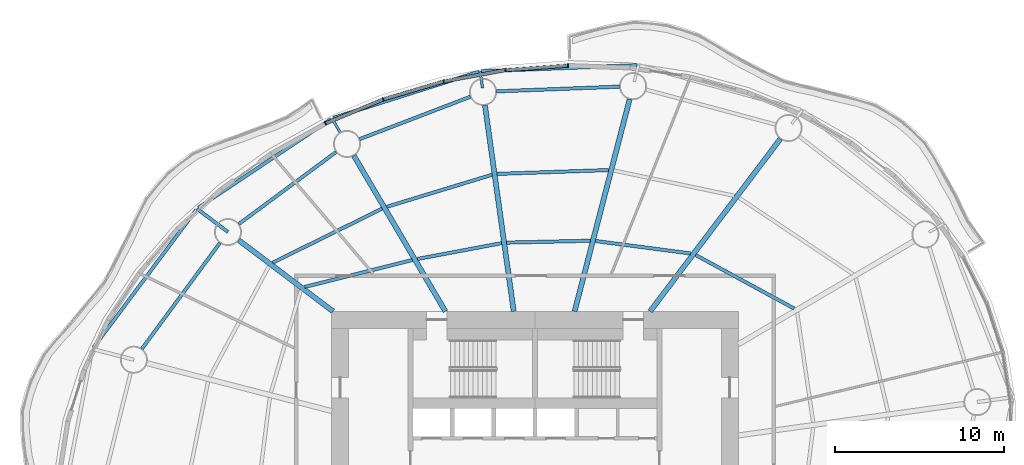
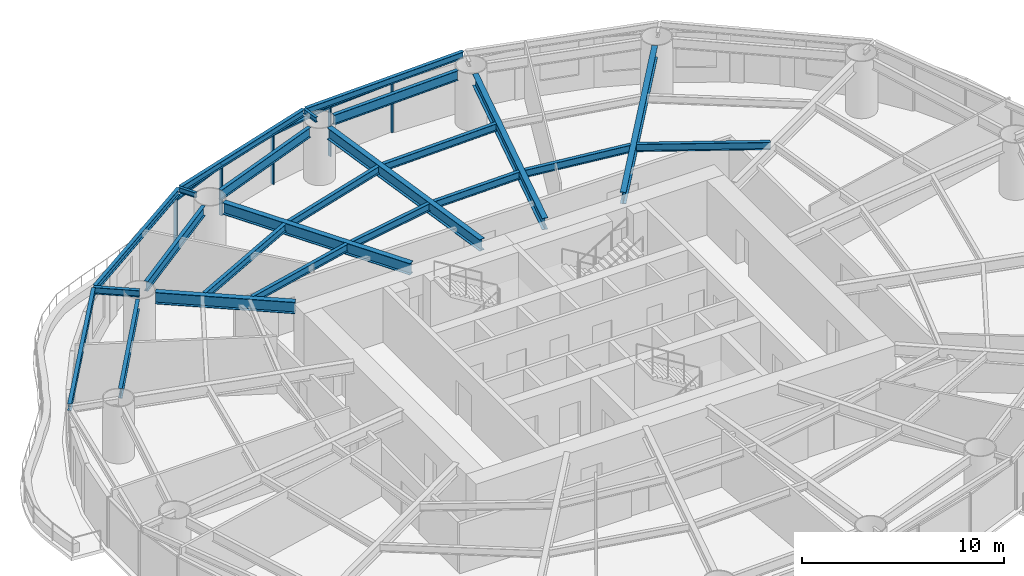
# One storey, part 5 of 16: 24 beams, 9 members, 4 elements without a shape of their own.
"""IFC4 building model written with IfcOpenShell, lengths in metres."""

from ifc_helpers import new_model, si_unit, direction, frame, origin, origin_2d, place, context, subcontext, project, spatial, rectangle, i_section, extrude, material, material_profile, profile_set, type_object, element, aggregate, save


model = new_model("IFC4")

# Units and contexts
model_context = context("Model", 3, precision=1e-05, world=origin(), true_north=direction((0.0, 1.0)))
body_context = subcontext(model_context, "Body", "Model", "MODEL_VIEW")
ifc_project = project(units=[si_unit("LENGTHUNIT", "METRE"), si_unit("AREAUNIT", "SQUARE_METRE"), si_unit("VOLUMEUNIT", "CUBIC_METRE"), si_unit("PLANEANGLEUNIT", "RADIAN"), si_unit("MASSUNIT", "GRAM", prefix="KILO")], contexts=[model_context])

# Site, building, storey
site_placement = place(None, origin())
site = spatial("IfcSite", under=ifc_project, at=site_placement, CompositionType="ELEMENT")
building_placement = place(site_placement, origin())
building = spatial("IfcBuilding", under=site, at=building_placement, Name="Vermilion Reach Broadcast Tower", CompositionType="ELEMENT")
storey_placement = place(building_placement, frame((0.0, 0.0, 88.60009765625)))
storey = spatial("IfcBuildingStorey", under=building, at=storey_placement, Name="L19", CompositionType="ELEMENT", Elevation=88.60009765625)

# Beams
ifc_material_1 = material(Name="Steel S355J2", Category="steel")
ifc_material_profile_1 = material_profile(ifc_material_1, i_section(OverallWidth=0.199951171875, OverallDepth=0.39990234375, WebThickness=0.008056640625, FlangeThickness=0.012939453125, at=origin_2d()), Name="S355J2 HN 400x200x8x13")
ifc_profile_set_1 = profile_set([ifc_material_profile_1], Name="Steel S355J2")
beam_type_1 = type_object("IfcBeamType", Name="EB2 HN 400x200x8x13", PredefinedType="BEAM", material=ifc_profile_set_1)
beam_1_placement = place(storey_placement, frame((0.029052734375, 23.527099609375, 3.25), z_axis=(-0.999265989975, -0.038307718274, 0.0), x_axis=(0.038307718274, -0.999265989975, 0.0)))
element("IfcBeam", 1, at=beam_1_placement, inside=storey, type_object=beam_type_1, Name="Edge beam EB2-03", PredefinedType="BEAM", context=body_context, shape_type="SweptSolid", body=[
    extrude(i_section(OverallWidth=0.199951171875, OverallDepth=0.39990234375, WebThickness=0.008056640625, FlangeThickness=0.012939453125, at=origin_2d()), origin(), (0.0, 0.0, 1.0), 9.196533203125),
])
beam_2_placement = place(storey_placement, frame((-9.30859375, 23.14892578125, 3.25), z_axis=(-0.953045019585, -0.302828648983, 0.0), x_axis=(0.302828648983, -0.953045019585, 0.0)))
element("IfcBeam", 2, at=beam_2_placement, inside=storey, type_object=beam_type_1, Name="Edge beam EB2-04", PredefinedType="BEAM", context=body_context, shape_type="SweptSolid", body=[
    extrude(i_section(OverallWidth=0.199951171875, OverallDepth=0.39990234375, WebThickness=0.008056640625, FlangeThickness=0.012939453125, at=origin_2d()), origin(), (0.0, 0.0, 1.0), 9.029541015625),
])
beam_3_placement = place(storey_placement, frame((-18.0498046875, 20.349365234375, 3.25), z_axis=(-0.830921863543, -0.556389123443, 0.0), x_axis=(0.556389123443, -0.830921863543, 0.0)))
element("IfcBeam", 3, at=beam_3_placement, inside=storey, type_object=beam_type_1, Name="Edge beam EB2-05", PredefinedType="BEAM", context=body_context, shape_type="SweptSolid", body=[
    extrude(i_section(OverallWidth=0.199951171875, OverallDepth=0.39990234375, WebThickness=0.008056640625, FlangeThickness=0.012939453125, at=origin_2d()), origin(), (0.0, 0.0, 1.0), 9.400634765625),
])
beam_4_placement = place(storey_placement, frame((-26.0087890625, 14.979736328125, 3.25), z_axis=(-0.598064758177, -0.801447780599, 0.0), x_axis=(0.801447780599, -0.598064758177, 0.0)))
element("IfcBeam", 4, at=beam_4_placement, inside=storey, type_object=beam_type_1, Name="Edge beam EB2-06", PredefinedType="BEAM", context=body_context, shape_type="SweptSolid", body=[
    extrude(i_section(OverallWidth=0.199951171875, OverallDepth=0.39990234375, WebThickness=0.008056640625, FlangeThickness=0.012939453125, at=origin_2d()), origin(), (0.0, 0.0, 1.0), 10.121826171875),
])
ifc_material_2 = material(Name="Steel S355J2", Category="steel")
ifc_material_profile_2 = material_profile(ifc_material_2, i_section(OverallWidth=0.300048828125, OverallDepth=0.699951171875, WebThickness=0.012939453125, FlangeThickness=0.02392578125, at=origin_2d()), Name="S355J2 HN 700x300x13x24")
ifc_profile_set_2 = profile_set([ifc_material_profile_2], Name="Steel S355J2")
beam_type_2 = type_object("IfcBeamType", Name="G2 HN 700x300x13x24", PredefinedType="BEAM", material=ifc_profile_set_2)
beam_5_placement = place(storey_placement, frame((0.794189453125, 9.0, 3.099853515625), z_axis=(0.602519842365, 0.798103902733, 0.0), x_axis=(-0.798103902733, 0.602519842365, 0.0)))
element("IfcBeam", 5, at=beam_5_placement, inside=storey, type_object=beam_type_2, Name="Girder G2-02", PredefinedType="BEAM", context=body_context, shape_type="SweptSolid", body=[
    extrude(i_section(OverallWidth=0.300048828125, OverallDepth=0.699951171875, WebThickness=0.012939453125, FlangeThickness=0.02392578125, at=origin_2d()), origin(), (0.0, 0.0, 1.0), 12.758544921875),
])
beam_6_placement = place(storey_placement, frame((-3.6640625, 9.0, 3.099853515625), z_axis=(0.25121695316, 0.967930804575, 0.0), x_axis=(-0.967930804575, 0.25121695316, 0.0)))
element("IfcBeam", 6, at=beam_6_placement, inside=storey, type_object=beam_type_2, Name="Girder G2-03", PredefinedType="BEAM", context=body_context, shape_type="SweptSolid", body=[
    extrude(i_section(OverallWidth=0.300048828125, OverallDepth=0.699951171875, WebThickness=0.012939453125, FlangeThickness=0.02392578125, at=origin_2d()), origin(), (0.0, 0.0, 1.0), 12.93505859375),
])
beam_7_placement = place(storey_placement, frame((-7.2568359375, 9.0, 3.099853515625), z_axis=(-0.138317561234, 0.990387930184, 0.0), x_axis=(-0.990387930184, -0.138317561234, 0.0)))
element("IfcBeam", 7, at=beam_7_placement, inside=storey, type_object=beam_type_2, Name="Girder G2-04", PredefinedType="BEAM", context=body_context, shape_type="SweptSolid", body=[
    extrude(i_section(OverallWidth=0.300048828125, OverallDepth=0.699951171875, WebThickness=0.012939453125, FlangeThickness=0.02392578125, at=origin_2d()), origin(), (0.0, 0.0, 1.0), 12.281494140625),
])
beam_8_placement = place(storey_placement, frame((-11.290771484375, 9.0, 3.099853515625), z_axis=(-0.506783943634, 0.862073102744, 0.0), x_axis=(-0.862073102744, -0.506783943634, 0.0)))
element("IfcBeam", 8, at=beam_8_placement, inside=storey, type_object=beam_type_2, Name="Girder G2-05", PredefinedType="BEAM", context=body_context, shape_type="SweptSolid", body=[
    extrude(i_section(OverallWidth=0.300048828125, OverallDepth=0.699951171875, WebThickness=0.012939453125, FlangeThickness=0.02392578125, at=origin_2d()), origin(), (0.0, 0.0, 1.0), 10.661865234375),
])
beam_9_placement = place(storey_placement, frame((-17.921630859375, 9.0, 3.099853515625), z_axis=(-0.798113534072, 0.602507084382, 0.0), x_axis=(-0.602507084382, -0.798113534072, 0.0)))
element("IfcBeam", 9, at=beam_9_placement, inside=storey, type_object=beam_type_2, Name="Girder G2-06", PredefinedType="BEAM", context=body_context, shape_type="SweptSolid", body=[
    extrude(i_section(OverallWidth=0.300048828125, OverallDepth=0.699951171875, WebThickness=0.012939453125, FlangeThickness=0.02392578125, at=origin_2d()), origin(), (0.0, 0.0, 1.0), 6.971923828125),
])
ifc_material_3 = material(Name="Steel S355J2", Category="steel")
ifc_material_profile_3 = material_profile(ifc_material_3, i_section(OverallWidth=0.199951171875, OverallDepth=0.39990234375, WebThickness=0.008056640625, FlangeThickness=0.012939453125, at=origin_2d()), Name="S355J2 HN 400x200x8x13")
ifc_profile_set_3 = profile_set([ifc_material_profile_3], Name="Steel S355J2")
beam_type_3 = type_object("IfcBeamType", Name="GC2 HN 400x200x8x13", PredefinedType="BEAM", material=ifc_profile_set_3)
beam_10_placement = place(storey_placement, frame((-24.12451171875, 13.6826171875, 3.25), z_axis=(-0.798137792915, 0.602474948459, 0.0), x_axis=(-0.602474948459, -0.798137792915, 0.0)))
element("IfcBeam", 10, at=beam_10_placement, inside=storey, type_object=beam_type_3, Name="Cantilever girder GC2-06", PredefinedType="BEAM", context=body_context, shape_type="SweptSolid", body=[
    extrude(i_section(OverallWidth=0.199951171875, OverallDepth=0.39990234375, WebThickness=0.008056640625, FlangeThickness=0.012939453125, at=origin_2d()), origin(), (0.0, 0.0, 1.0), 2.285888671875),
])
ifc_material_4 = material(Name="Steel S355J2", Category="steel")
ifc_material_profile_4 = material_profile(ifc_material_4, i_section(OverallWidth=0.14990234375, OverallDepth=0.300048828125, WebThickness=0.006591796875, FlangeThickness=0.009033203125, at=origin_2d()), Name="S355J2 HN 300x150x6.5x9")
ifc_profile_set_4 = profile_set([ifc_material_profile_4], Name="Steel S355J2")
beam_type_4 = type_object("IfcBeamType", Name="GS2 HN 300x150x6.5x9", PredefinedType="BEAM", material=ifc_profile_set_4)
for number, where, z_axis, x_axis, name in (
    (11, (-9.09765625, 22.181640625, 3.2998046875), (-0.138413206764, 0.990374567622, 0.0), (-0.990374567622, -0.138413206764, 0.0), "Cantilever stub GS2-04"),
    (12, (-17.480712890625, 19.529052734375, 3.2998046875), (-0.506539974726, 0.862216477461, 0.0), (-0.862216477461, -0.506539974726, 0.0), "Cantilever stub GS2-05"),
):
    element("IfcBeam", number, at=place(storey_placement, frame(where, z_axis=z_axis, x_axis=x_axis)), inside=storey, type_object=beam_type_4, Name=name, PredefinedType="BEAM", context=body_context, shape_type="SweptSolid", body=[
        extrude(i_section(OverallWidth=0.14990234375, OverallDepth=0.300048828125, WebThickness=0.006591796875, FlangeThickness=0.009033203125, at=origin_2d()), origin(), (0.0, 0.0, 1.0), 1.0),
    ])
ifc_material_5 = material(Name="Steel S355J2", Category="steel")
ifc_material_profile_5 = material_profile(ifc_material_5, i_section(OverallWidth=0.199951171875, OverallDepth=0.60009765625, WebThickness=0.010986328125, FlangeThickness=0.01708984375, at=origin_2d()), Name="S355J2 HN 600x200x11x17")
ifc_profile_set_5 = profile_set([ifc_material_profile_5], Name="Steel S355J2")
beam_type_5 = type_object("IfcBeamType", Name="RB2 HN 600x200x11x17", PredefinedType="BEAM", material=ifc_profile_set_5)
beam_11_placement = place(storey_placement, frame((-1.012939453125, 22.263916015625, 3.14990234375), z_axis=(-0.999268558327, -0.038240663418, 0.0), x_axis=(0.038240663418, -0.999268558327, 0.0)))
element("IfcBeam", 13, at=beam_11_placement, inside=storey, type_object=beam_type_5, Name="Ring beam RB2-03", PredefinedType="BEAM", context=body_context, shape_type="SweptSolid", body=[
    extrude(i_section(OverallWidth=0.199951171875, OverallDepth=0.60009765625, WebThickness=0.010986328125, FlangeThickness=0.01708984375, at=origin_2d()), origin(), (0.0, 0.0, 1.0), 7.259033203125),
])
beam_12_placement = place(storey_placement, frame((-9.813232421875, 21.669677734375, 3.14990234375), z_axis=(-0.933939237212, -0.357431813353, 0.0), x_axis=(0.357431813353, -0.933939237212, 0.0)))
element("IfcBeam", 14, at=beam_12_placement, inside=storey, type_object=beam_type_5, Name="Ring beam RB2-04", PredefinedType="BEAM", context=body_context, shape_type="SweptSolid", body=[
    extrude(i_section(OverallWidth=0.199951171875, OverallDepth=0.60009765625, WebThickness=0.010986328125, FlangeThickness=0.01708984375, at=origin_2d()), origin(), (0.0, 0.0, 1.0), 7.001953125),
])
beam_13_placement = place(storey_placement, frame((-17.74267578125, 18.4052734375, 3.14990234375), z_axis=(-0.803832742218, -0.594855379515, 0.0), x_axis=(0.594855379515, -0.803832742218, 0.0)))
element("IfcBeam", 15, at=beam_13_placement, inside=storey, type_object=beam_type_5, Name="Ring beam RB2-05", PredefinedType="BEAM", context=body_context, shape_type="SweptSolid", body=[
    extrude(i_section(OverallWidth=0.199951171875, OverallDepth=0.60009765625, WebThickness=0.010986328125, FlangeThickness=0.01708984375, at=origin_2d()), origin(), (0.0, 0.0, 1.0), 7.13916015625),
])
beam_14_placement = place(storey_placement, frame((-24.59912109375, 13.03857421875, 3.14990234375), z_axis=(-0.593250534798, -0.80501788984, 0.0), x_axis=(0.80501788984, -0.593250534798, 0.0)))
element("IfcBeam", 16, at=beam_14_placement, inside=storey, type_object=beam_type_5, Name="Ring beam RB2-06", PredefinedType="BEAM", context=body_context, shape_type="SweptSolid", body=[
    extrude(i_section(OverallWidth=0.199951171875, OverallDepth=0.60009765625, WebThickness=0.010986328125, FlangeThickness=0.01708984375, at=origin_2d()), origin(), (0.0, 0.0, 1.0), 7.76220703125),
])
ifc_material_6 = material(Name="Steel S355J2", Category="steel")
ifc_material_profile_6 = material_profile(ifc_material_6, i_section(OverallWidth=0.199951171875, OverallDepth=0.449951171875, WebThickness=0.009033203125, FlangeThickness=0.013916015625, at=origin_2d()), Name="S355J2 HN 450x200x9x14")
ifc_profile_set_6 = profile_set([ifc_material_profile_6], Name="Steel S355J2")
beam_type_6 = type_object("IfcBeamType", Name="SB2 HN 450x200x9x14", PredefinedType="BEAM", material=ifc_profile_set_6)
beam_15_placement = place(storey_placement, frame((9.29736328125, 9.1669921875, 3.224853515625), z_axis=(-0.878713106774, 0.477350265512, 0.0), x_axis=(-0.477350265512, -0.878713106774, 0.0)))
element("IfcBeam", 17, at=beam_15_placement, inside=storey, type_object=beam_type_6, Name="Secondary beam SB2-01-1", PredefinedType="BEAM", context=body_context, shape_type="SweptSolid", body=[
    extrude(i_section(OverallWidth=0.199951171875, OverallDepth=0.449951171875, WebThickness=0.009033203125, FlangeThickness=0.013916015625, at=origin_2d()), origin(), (0.0, 0.0, 1.0), 6.60888671875),
])
beam_16_placement = place(storey_placement, frame((3.185546875, 12.416748046875, 3.224853515625), z_axis=(-0.991498686864, 0.130116693573, 0.0), x_axis=(-0.130116693573, -0.991498686864, 0.0)))
element("IfcBeam", 18, at=beam_16_placement, inside=storey, type_object=beam_type_6, Name="Secondary beam SB2-02-1", PredefinedType="BEAM", context=body_context, shape_type="SweptSolid", body=[
    extrude(i_section(OverallWidth=0.199951171875, OverallDepth=0.449951171875, WebThickness=0.009033203125, FlangeThickness=0.013916015625, at=origin_2d()), origin(), (0.0, 0.0, 1.0), 5.66455078125),
])
beam_17_placement = place(storey_placement, frame((-2.73681640625, 13.169921875, 3.224853515625), z_axis=(-0.999742320425, -0.022700060602, 0.0), x_axis=(0.022700060602, -0.999742320425, 0.0)))
element("IfcBeam", 19, at=beam_17_placement, inside=storey, type_object=beam_type_6, Name="Secondary beam SB2-03-1", PredefinedType="BEAM", context=body_context, shape_type="SweptSolid", body=[
    extrude(i_section(OverallWidth=0.199951171875, OverallDepth=0.449951171875, WebThickness=0.009033203125, FlangeThickness=0.013916015625, at=origin_2d()), origin(), (0.0, 0.0, 1.0), 4.9365234375),
])
beam_18_placement = place(storey_placement, frame((-1.654052734375, 17.34130859375, 3.224853515625), z_axis=(-0.999404722387, -0.03449928797, 0.0), x_axis=(0.03449928797, -0.999404722387, 0.0)))
element("IfcBeam", 20, at=beam_18_placement, inside=storey, type_object=beam_type_6, Name="Secondary beam SB2-03-2", PredefinedType="BEAM", context=body_context, shape_type="SweptSolid", body=[
    extrude(i_section(OverallWidth=0.199951171875, OverallDepth=0.449951171875, WebThickness=0.009033203125, FlangeThickness=0.013916015625, at=origin_2d()), origin(), (0.0, 0.0, 1.0), 6.58837890625),
])
beam_19_placement = place(storey_placement, frame((-7.970703125, 13.026611328125, 3.224853515625), z_axis=(-0.982782890015, -0.184764149915, 0.0), x_axis=(0.184764149915, -0.982782890015, 0.0)))
element("IfcBeam", 21, at=beam_19_placement, inside=storey, type_object=beam_type_6, Name="Secondary beam SB2-04-1", PredefinedType="BEAM", context=body_context, shape_type="SweptSolid", body=[
    extrude(i_section(OverallWidth=0.199951171875, OverallDepth=0.449951171875, WebThickness=0.009033203125, FlangeThickness=0.013916015625, at=origin_2d()), origin(), (0.0, 0.0, 1.0), 5.051513671875),
])
beam_20_placement = place(storey_placement, frame((-8.53466796875, 17.064697265625, 3.224853515625), z_axis=(-0.956596430605, -0.291415972374, 0.0), x_axis=(0.291415972374, -0.956596430605, 0.0)))
element("IfcBeam", 22, at=beam_20_placement, inside=storey, type_object=beam_type_6, Name="Secondary beam SB2-04-2", PredefinedType="BEAM", context=body_context, shape_type="SweptSolid", body=[
    extrude(i_section(OverallWidth=0.199951171875, OverallDepth=0.449951171875, WebThickness=0.009033203125, FlangeThickness=0.013916015625, at=origin_2d()), origin(), (0.0, 0.0, 1.0), 6.49267578125),
])
beam_21_placement = place(storey_placement, frame((-13.24365234375, 12.026123046875, 3.224853515625), z_axis=(-0.970396717612, -0.241516480695, 0.0), x_axis=(0.241516480695, -0.970396717612, 0.0)))
element("IfcBeam", 23, at=beam_21_placement, inside=storey, type_object=beam_type_6, Name="Secondary beam SB2-05-1", PredefinedType="BEAM", context=body_context, shape_type="SweptSolid", body=[
    extrude(i_section(OverallWidth=0.199951171875, OverallDepth=0.449951171875, WebThickness=0.009033203125, FlangeThickness=0.013916015625, at=origin_2d()), origin(), (0.0, 0.0, 1.0), 6.539306640625),
])
beam_22_placement = place(storey_placement, frame((-15.02783203125, 15.06103515625, 3.224853515625), z_axis=(-0.896648255868, -0.442743611189, 0.0), x_axis=(0.442743611189, -0.896648255868, 0.0)))
element("IfcBeam", 24, at=beam_22_placement, inside=storey, type_object=beam_type_6, Name="Secondary beam SB2-05-2", PredefinedType="BEAM", context=body_context, shape_type="SweptSolid", body=[
    extrude(i_section(OverallWidth=0.199951171875, OverallDepth=0.449951171875, WebThickness=0.009033203125, FlangeThickness=0.013916015625, at=origin_2d()), origin(), (0.0, 0.0, 1.0), 7.19677734375),
])

# Curtain wall, member
ifc_material_7 = material(Name="Low-e laminated clear glass in aluminium frame", Category="aluminium")
curtain_wall_type = type_object("IfcCurtainWallType", Name="Slot curtain wall", PredefinedType="NOTDEFINED", material=ifc_material_7)
placement = place(storey_placement, origin())
curtain_wall_1 = element("IfcCurtainWall", 25, at=placement, inside=storey, type_object=curtain_wall_type, Name="Slot curtain wall L19 10", PredefinedType="NOTDEFINED")
ifc_material_8 = material(Name="Anodised aluminium", Category="aluminium")
ifc_material_profile_7 = material_profile(ifc_material_8, rectangle(XDim=0.199951171875, YDim=0.080078125, at=origin_2d()), Name="Slot mullion 80 x 200")
ifc_profile_set_7 = profile_set([ifc_material_profile_7], Name="Anodised aluminium")
member_type_1 = type_object("IfcMemberType", Name="Slot mullion 80 x 200", PredefinedType="MULLION", material=ifc_profile_set_7)
member_1_placement = place(storey_placement, frame((-4.051025390625, 23.506591796875, 0.0), z_axis=(0.0, 0.0, 1.0), x_axis=(0.01813302102, -0.999835583258, 0.0)))
member_1 = element("IfcMember", 26, at=member_1_placement, type_object=member_type_1, Name="Slot mullion L19 10", PredefinedType="MULLION", context=body_context, shape_type="SweptSolid", body=[
    extrude(rectangle(XDim=0.199951171875, YDim=0.080078125, at=origin_2d()), origin(), (0.0, 0.0, 1.0), 3.0498046875),
])

curtain_wall_2 = element("IfcCurtainWall", 27, at=placement, inside=storey, type_object=curtain_wall_type, Name="Slot curtain wall L19 11", PredefinedType="NOTDEFINED")
member_2_placement = place(storey_placement, frame((-7.73681640625, 23.237060546875, 0.0), z_axis=(0.0, 0.0, 1.0), x_axis=(0.126615571152, -0.991951862311, 0.0)))
member_2 = element("IfcMember", 28, at=member_2_placement, type_object=member_type_1, Name="Slot mullion L19 11", PredefinedType="MULLION", context=body_context, shape_type="SweptSolid", body=[
    extrude(rectangle(XDim=0.199951171875, YDim=0.080078125, at=origin_2d()), origin(), (0.0, 0.0, 1.0), 3.0498046875),
])

curtain_wall_3 = element("IfcCurtainWall", 29, at=placement, inside=storey, type_object=curtain_wall_type, Name="Slot curtain wall L19 12", PredefinedType="NOTDEFINED")
member_3_placement = place(storey_placement, frame((-11.39306640625, 22.568359375, 0.0), z_axis=(0.0, 0.0, 1.0), x_axis=(0.232426875034, -0.97261387393, 0.0)))
member_3 = element("IfcMember", 30, at=member_3_placement, type_object=member_type_1, Name="Slot mullion L19 12", PredefinedType="MULLION", context=body_context, shape_type="SweptSolid", body=[
    extrude(rectangle(XDim=0.199951171875, YDim=0.080078125, at=origin_2d()), origin(), (0.0, 0.0, 1.0), 3.0498046875),
])

# Curtain wall, members
curtain_wall_4 = element("IfcCurtainWall", 31, at=placement, inside=storey, type_object=curtain_wall_type, Name="Slot curtain wall L19 13", PredefinedType="NOTDEFINED")
member_4_placement = place(storey_placement, frame((-14.956787109375, 21.51171875, 0.0), z_axis=(0.0, 0.0, 1.0), x_axis=(0.335549092517, -0.942022720804, 0.0)))
member_4 = element("IfcMember", 32, at=member_4_placement, type_object=member_type_1, Name="Slot mullion L19 13", PredefinedType="MULLION", context=body_context, shape_type="SweptSolid", body=[
    extrude(rectangle(XDim=0.199951171875, YDim=0.080078125, at=origin_2d()), origin(), (0.0, 0.0, 1.0), 3.0498046875),
])
member_5_placement = place(storey_placement, frame((-18.366455078125, 20.085693359375, 0.0), z_axis=(0.0, 0.0, 1.0), x_axis=(0.435875311744, -0.900007062535, 0.0)))
member_5 = element("IfcMember", 33, at=member_5_placement, type_object=member_type_1, Name="Slot mullion L19 14", PredefinedType="MULLION", context=body_context, shape_type="SweptSolid", body=[
    extrude(rectangle(XDim=0.199951171875, YDim=0.080078125, at=origin_2d()), origin(), (0.0, 0.0, 1.0), 3.0498046875),
])

# Member
ifc_material_9 = material(Name="Anodised aluminium", Category="aluminium")
ifc_material_profile_8 = material_profile(ifc_material_9, rectangle(XDim=0.199951171875, YDim=0.10009765625, at=origin_2d()), Name="Slot transom 200 x 100")
ifc_profile_set_8 = profile_set([ifc_material_profile_8], Name="Anodised aluminium")
member_type_2 = type_object("IfcMemberType", Name="Slot transom 200 x 100", PredefinedType="USERDEFINED", material=ifc_profile_set_8)
member_6_placement = place(storey_placement, frame((-4.0908203125, 23.503662109375, 3.0), z_axis=(-0.997337677439, -0.072921582265, 0.0), x_axis=(0.072921582265, -0.997337677439, 0.0)))
member_6 = element("IfcMember", 34, at=member_6_placement, type_object=member_type_2, Name="Slot transom L19 10.1", ObjectType="TRANSOM", PredefinedType="USERDEFINED", context=body_context, shape_type="SweptSolid", body=[
    extrude(rectangle(XDim=0.199951171875, YDim=0.10009765625, at=origin_2d()), origin(), (0.0, 0.0, 1.0), 3.61572265625),
])

aggregate(curtain_wall_1, [member_1, member_6])

member_7_placement = place(storey_placement, frame((-7.776123046875, 23.22998046875, 3.0), z_axis=(-0.983672769634, -0.179966336522, 0.0), x_axis=(0.179966336522, -0.983672769634, 0.0)))
member_7 = element("IfcMember", 35, at=member_7_placement, type_object=member_type_2, Name="Slot transom L19 11.1", ObjectType="TRANSOM", PredefinedType="USERDEFINED", context=body_context, shape_type="SweptSolid", body=[
    extrude(rectangle(XDim=0.199951171875, YDim=0.10009765625, at=origin_2d()), origin(), (0.0, 0.0, 1.0), 3.636962890625),
])

aggregate(curtain_wall_2, [member_2, member_7])

member_8_placement = place(storey_placement, frame((-11.431640625, 22.556884765625, 3.0), z_axis=(-0.958737818847, -0.28429174225, 0.0), x_axis=(0.28429174225, -0.958737818847, 0.0)))
member_8 = element("IfcMember", 36, at=member_8_placement, type_object=member_type_2, Name="Slot transom L19 12.1", ObjectType="TRANSOM", PredefinedType="USERDEFINED", context=body_context, shape_type="SweptSolid", body=[
    extrude(rectangle(XDim=0.199951171875, YDim=0.10009765625, at=origin_2d()), origin(), (0.0, 0.0, 1.0), 3.636962890625),
])

aggregate(curtain_wall_3, [member_3, member_8])

member_9_placement = place(storey_placement, frame((-14.99365234375, 21.496337890625, 3.0), z_axis=(-0.922546663926, -0.385885543756, 0.0), x_axis=(0.385885543756, -0.922546663926, 0.0)))
member_9 = element("IfcMember", 37, at=member_9_placement, type_object=member_type_2, Name="Slot transom L19 13.1", ObjectType="TRANSOM", PredefinedType="USERDEFINED", context=body_context, shape_type="SweptSolid", body=[
    extrude(rectangle(XDim=0.199951171875, YDim=0.10009765625, at=origin_2d()), origin(), (0.0, 0.0, 1.0), 3.61572265625),
])

aggregate(curtain_wall_4, [member_4, member_5, member_9])

save(model, "model.ifc")
